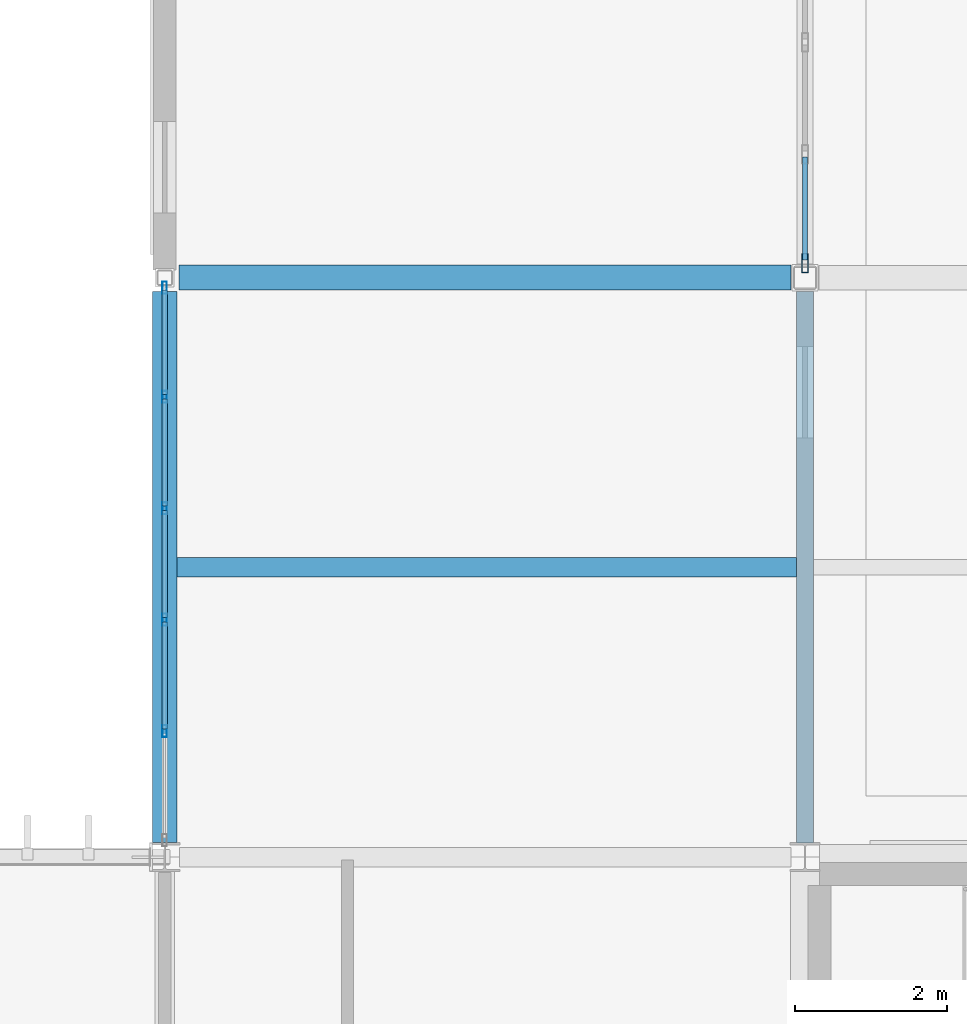
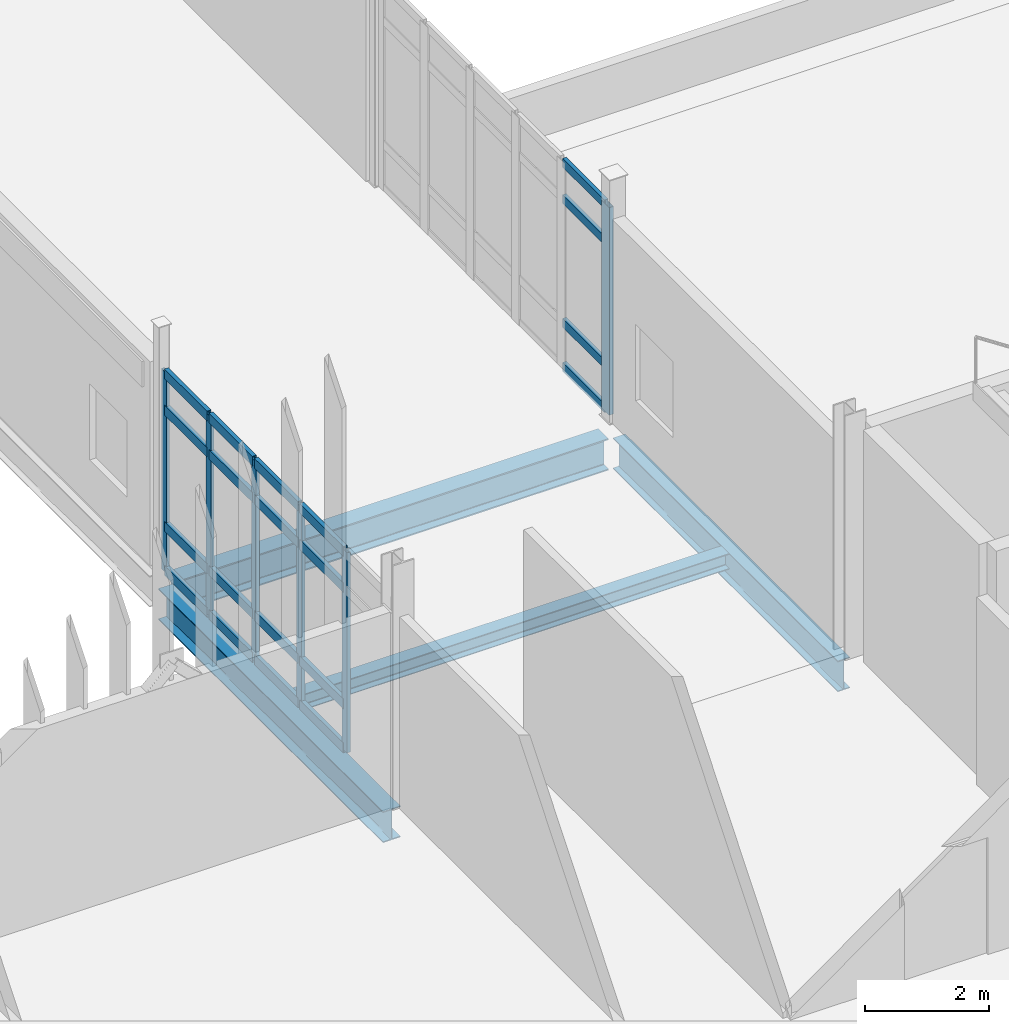
# One storey, part 32 of 153: 26 members, 4 beams, 2 elements without a shape of their own.
"""IFC4 building model written with IfcOpenShell, lengths in metres."""

from ifc_helpers import new_model, si_unit, direction, frame, origin, origin_2d, place, context, subcontext, project, spatial, hollow_rectangle, i_section, extrude, material, layer, layer_set, material_profile, profile_set, type_object, element, aggregate, save


model = new_model("IFC4")

# Units and contexts
model_context = context("Model", 3, precision=1e-05, world=origin(), true_north=direction((0.0, 1.0)))
body_context = subcontext(model_context, "Body", "Model", "MODEL_VIEW")
ifc_project = project(units=[si_unit("LENGTHUNIT", "METRE"), si_unit("AREAUNIT", "SQUARE_METRE"), si_unit("VOLUMEUNIT", "CUBIC_METRE"), si_unit("PLANEANGLEUNIT", "RADIAN"), si_unit("MASSUNIT", "GRAM", prefix="KILO")], contexts=[model_context])

# Site, building, storey
site_placement = place(None, origin())
site = spatial("IfcSite", under=ifc_project, at=site_placement, CompositionType="ELEMENT")
building_placement = place(site_placement, origin())
building = spatial("IfcBuilding", under=site, at=building_placement, Name="Calvrana Isthmian Art Gallery", CompositionType="ELEMENT")
storey_placement = place(building_placement, frame((0.0, 0.0, 10.199951171875)))
storey = spatial("IfcBuildingStorey", under=building, at=storey_placement, Name="L02", CompositionType="ELEMENT", Elevation=10.199951171875)

# Beams
ifc_material_1 = material(Name="Steel ASTM A992 Gr 50", Category="steel")
ifc_material_profile_1 = material_profile(ifc_material_1, i_section(OverallWidth=0.324951171875, OverallDepth=0.612060546875, WebThickness=0.0126953125, FlangeThickness=0.01904296875, FilletRadius=0.02197265625, at=origin_2d()), Name="W24X104")
ifc_profile_set_1 = profile_set([ifc_material_profile_1], Name="Steel ASTM A992 Gr 50")
beam_type_1 = type_object("IfcBeamType", Name="BM-G-W24X104", PredefinedType="BEAM", material=ifc_profile_set_1)
beam_1_placement = place(storey_placement, frame((55.199951171875, 46.988037109375, -0.571044921875), z_axis=(0.0, 1.0, 0.0), x_axis=(-1.0, 0.0, 0.0)))
element("IfcBeam", 1, at=beam_1_placement, inside=storey, type_object=beam_type_1, Name="Girder Y L02 08/G-H", PredefinedType="BEAM", context=body_context, shape_type="SweptSolid", body=[
    extrude(i_section(OverallWidth=0.324951171875, OverallDepth=0.612060546875, WebThickness=0.0126953125, FlangeThickness=0.01904296875, FilletRadius=0.02197265625, at=origin_2d()), origin(), (0.0, 0.0, 1.0), 7.22802734375),
])
ifc_material_profile_2 = material_profile(ifc_material_1, i_section(OverallWidth=0.327880859375, OverallDepth=0.6220703125, WebThickness=0.015380859375, FlangeThickness=0.0244140625, FilletRadius=0.02197265625, at=origin_2d()), Name="W24X131")
ifc_profile_set_2 = profile_set([ifc_material_profile_2], Name="Steel ASTM A992 Gr 50")
beam_type_2 = type_object("IfcBeamType", Name="BM-G-W24X131", PredefinedType="BEAM", material=ifc_profile_set_2)
beam_2_placement = place(storey_placement, frame((55.386474609375, 54.39990234375, -0.575927734375), z_axis=(1.0, 0.0, 0.0), x_axis=(0.0, 1.0, 0.0)))
element("IfcBeam", 2, at=beam_2_placement, inside=storey, type_object=beam_type_2, Name="Girder X L02 08-09/H", PredefinedType="BEAM", context=body_context, shape_type="SweptSolid", body=[
    extrude(i_section(OverallWidth=0.327880859375, OverallDepth=0.6220703125, WebThickness=0.015380859375, FlangeThickness=0.0244140625, FilletRadius=0.02197265625, at=origin_2d()), origin(), (0.0, 0.0, 1.0), 8.028076171875),
])
ifc_material_profile_3 = material_profile(ifc_material_1, i_section(OverallWidth=0.22802734375, OverallDepth=0.60693359375, WebThickness=0.01123046875, FlangeThickness=0.017333984375, FilletRadius=0.02197265625, at=origin_2d()), Name="W24X76")
ifc_profile_set_3 = profile_set([ifc_material_profile_3], Name="Steel ASTM A992 Gr 50")
beam_type_3 = type_object("IfcBeamType", Name="BM-G-W24X76", PredefinedType="BEAM", material=ifc_profile_set_3)
beam_3_placement = place(storey_placement, frame((63.60009765625, 46.986572265625, -0.568359375), z_axis=(0.0, 1.0, 0.0), x_axis=(-1.0, 0.0, 0.0)))
element("IfcBeam", 3, at=beam_3_placement, inside=storey, type_object=beam_type_3, Name="Girder Y L02 09/G-H", PredefinedType="BEAM", context=body_context, shape_type="SweptSolid", body=[
    extrude(i_section(OverallWidth=0.22802734375, OverallDepth=0.60693359375, WebThickness=0.01123046875, FlangeThickness=0.017333984375, FilletRadius=0.02197265625, at=origin_2d()), origin(), (0.0, 0.0, 1.0), 7.23193359375),
])
ifc_material_profile_4 = material_profile(ifc_material_1, i_section(OverallWidth=0.25390625, OverallDepth=0.306884765625, WebThickness=0.0087890625, FlangeThickness=0.0146484375, FilletRadius=0.01611328125, at=origin_2d()), Name="W12X53")
ifc_profile_set_4 = profile_set([ifc_material_profile_4], Name="Steel ASTM A992 Gr 50")
beam_type_4 = type_object("IfcBeamType", Name="BM-J-W12X53", PredefinedType="JOIST", material=ifc_profile_set_4)
beam_4_placement = place(storey_placement, frame((55.362548828125, 50.60009765625, -0.41845703125), z_axis=(1.0, 0.0, 0.0), x_axis=(0.0, 1.0, 0.0)))
element("IfcBeam", 4, at=beam_4_placement, inside=storey, type_object=beam_type_4, Name="Composite joist L02 bay 07-06", PredefinedType="JOIST", context=body_context, shape_type="SweptSolid", body=[
    extrude(i_section(OverallWidth=0.25390625, OverallDepth=0.306884765625, WebThickness=0.0087890625, FlangeThickness=0.0146484375, FilletRadius=0.01611328125, at=origin_2d()), origin(), (0.0, 0.0, 1.0), 8.12353515625),
])

# Curtain wall, members
ifc_material_2 = material(Name="Anodized bronze aluminium 6063-T6", Category="aluminium")
ifc_layer_1 = layer(ifc_material_2, 0.179931640625, Name="Anodized bronze aluminium 6063-T6")
ifc_layer_set_1 = layer_set([ifc_layer_1], Name="Anodized bronze aluminium 6063-T6")
curtain_wall_type_1 = type_object("IfcCurtainWallType", Name="CW-UNIT-073X39", PredefinedType="USERDEFINED", material=ifc_layer_set_1)
curtain_wall_1_placement = place(storey_placement, origin())
curtain_wall_1 = element("IfcCurtainWall", 5, at=curtain_wall_1_placement, inside=storey, type_object=curtain_wall_type_1, Name="Curtain wall CW-169", ObjectType="UNITISED CURTAIN WALL", PredefinedType="USERDEFINED")
ifc_material_profile_5 = material_profile(ifc_material_2, hollow_rectangle(XDim=0.06005859375, YDim=0.159912109375, WallThickness=0.00390625, at=origin_2d()), Name="CWM60X160")
ifc_profile_set_5 = profile_set([ifc_material_profile_5], Name="Anodized bronze aluminium 6063-T6")
member_type_1 = type_object("IfcMemberType", Name="CWM-CWM60X160", PredefinedType="MULLION", material=ifc_profile_set_5)
member_1_placement = place(storey_placement, frame((55.199951171875, 48.4521484375, 0.0), z_axis=(0.0, 0.0, 1.0), x_axis=(-1.0, 0.0, 0.0)))
member_1 = element("IfcMember", 6, at=member_1_placement, type_object=member_type_1, Name="CW-169 mullion 2", PredefinedType="MULLION", context=body_context, shape_type="SweptSolid", body=[
    extrude(hollow_rectangle(XDim=0.06005859375, YDim=0.159912109375, WallThickness=0.00390625, at=origin_2d()), origin(), (0.0, 0.0, 1.0), 3.93310546875),
])
member_2_placement = place(storey_placement, frame((55.199951171875, 49.91357421875, 0.0), z_axis=(0.0, 0.0, 1.0), x_axis=(-1.0, 0.0, 0.0)))
member_2 = element("IfcMember", 7, at=member_2_placement, type_object=member_type_1, Name="CW-169 mullion 3", PredefinedType="MULLION", context=body_context, shape_type="SweptSolid", body=[
    extrude(hollow_rectangle(XDim=0.06005859375, YDim=0.159912109375, WallThickness=0.00390625, at=origin_2d()), origin(), (0.0, 0.0, 1.0), 3.93310546875),
])
member_3_placement = place(storey_placement, frame((55.199951171875, 51.375244140625, 0.0), z_axis=(0.0, 0.0, 1.0), x_axis=(-1.0, 0.0, 0.0)))
member_3 = element("IfcMember", 8, at=member_3_placement, type_object=member_type_1, Name="CW-169 mullion 4", PredefinedType="MULLION", context=body_context, shape_type="SweptSolid", body=[
    extrude(hollow_rectangle(XDim=0.06005859375, YDim=0.159912109375, WallThickness=0.00390625, at=origin_2d()), origin(), (0.0, 0.0, 1.0), 3.93310546875),
])
member_4_placement = place(storey_placement, frame((55.199951171875, 52.8369140625, 0.0), z_axis=(0.0, 0.0, 1.0), x_axis=(-1.0, 0.0, 0.0)))
member_4 = element("IfcMember", 9, at=member_4_placement, type_object=member_type_1, Name="CW-169 mullion 5", PredefinedType="MULLION", context=body_context, shape_type="SweptSolid", body=[
    extrude(hollow_rectangle(XDim=0.06005859375, YDim=0.159912109375, WallThickness=0.00390625, at=origin_2d()), origin(), (0.0, 0.0, 1.0), 3.93310546875),
])
member_5_placement = place(storey_placement, frame((55.199951171875, 54.268310546875, 0.0), z_axis=(0.0, 0.0, 1.0), x_axis=(-1.0, 0.0, 0.0)))
member_5 = element("IfcMember", 10, at=member_5_placement, type_object=member_type_1, Name="CW-169 mullion 6", PredefinedType="MULLION", context=body_context, shape_type="SweptSolid", body=[
    extrude(hollow_rectangle(XDim=0.06005859375, YDim=0.159912109375, WallThickness=0.00390625, at=origin_2d()), origin(), (0.0, 0.0, 1.0), 3.93310546875),
])

ifc_layer_2 = layer(ifc_material_2, 0.179931640625, Name="Anodized bronze aluminium 6063-T6")
ifc_layer_set_2 = layer_set([ifc_layer_2], Name="Anodized bronze aluminium 6063-T6")
curtain_wall_type_2 = type_object("IfcCurtainWallType", Name="CW-UNIT-073X41", PredefinedType="USERDEFINED", material=ifc_layer_set_2)
curtain_wall_2_placement = place(storey_placement, origin())
curtain_wall_2 = element("IfcCurtainWall", 11, at=curtain_wall_2_placement, inside=storey, type_object=curtain_wall_type_2, Name="Curtain wall CW-173", ObjectType="UNITISED CURTAIN WALL", PredefinedType="USERDEFINED")
ifc_material_profile_6 = material_profile(ifc_material_2, hollow_rectangle(XDim=0.080078125, YDim=0.25, WallThickness=0.005615234375, at=origin_2d()), Name="CWM80X250")
ifc_profile_set_6 = profile_set([ifc_material_profile_6], Name="Anodized bronze aluminium 6063-T6")
member_type_2 = type_object("IfcMemberType", Name="CWM-CWM80X250", PredefinedType="MULLION", material=ifc_profile_set_6)
member_6_placement = place(storey_placement, frame((63.60009765625, 54.59228515625, 0.0), z_axis=(0.0, 0.0, 1.0), x_axis=(1.0, 0.0, 0.0)))
member_6 = element("IfcMember", 12, at=member_6_placement, type_object=member_type_2, Name="CW-173 mullion 6", PredefinedType="MULLION", context=body_context, shape_type="SweptSolid", body=[
    extrude(hollow_rectangle(XDim=0.080078125, YDim=0.25, WallThickness=0.005615234375, at=origin_2d()), origin(), (0.0, 0.0, 1.0), 4.078125),
])
ifc_material_profile_7 = material_profile(ifc_material_2, hollow_rectangle(XDim=0.070068359375, YDim=0.169921875, WallThickness=0.00439453125, at=origin_2d()), Name="CWT70X170")
ifc_profile_set_7 = profile_set([ifc_material_profile_7], Name="Anodized bronze aluminium 6063-T6")
member_type_3 = type_object("IfcMemberType", Name="CWT-CWT70X170", PredefinedType="USERDEFINED", material=ifc_profile_set_7)
member_7_placement = place(storey_placement, frame((63.60009765625, 55.981689453125, 0.03515625), z_axis=(0.0, -1.0, 0.0), x_axis=(1.0, 0.0, 0.0)))
member_7 = element("IfcMember", 13, at=member_7_placement, type_object=member_type_3, Name="CW-173 transom 5.1", ObjectType="TRANSOM", PredefinedType="USERDEFINED", context=body_context, shape_type="SweptSolid", body=[
    extrude(hollow_rectangle(XDim=0.070068359375, YDim=0.169921875, WallThickness=0.00439453125, at=origin_2d()), origin(), (0.0, 0.0, 1.0), 1.349365234375),
])
member_8_placement = place(storey_placement, frame((63.60009765625, 55.981689453125, 0.900146484375), z_axis=(0.0, -1.0, 0.0), x_axis=(1.0, 0.0, 0.0)))
member_8 = element("IfcMember", 14, at=member_8_placement, type_object=member_type_3, Name="CW-173 transom 5.2", ObjectType="TRANSOM", PredefinedType="USERDEFINED", context=body_context, shape_type="SweptSolid", body=[
    extrude(hollow_rectangle(XDim=0.070068359375, YDim=0.169921875, WallThickness=0.00439453125, at=origin_2d()), origin(), (0.0, 0.0, 1.0), 1.349365234375),
])
member_9_placement = place(storey_placement, frame((63.60009765625, 55.981689453125, 3.328125), z_axis=(0.0, -1.0, 0.0), x_axis=(1.0, 0.0, 0.0)))
member_9 = element("IfcMember", 15, at=member_9_placement, type_object=member_type_3, Name="CW-173 transom 5.3", ObjectType="TRANSOM", PredefinedType="USERDEFINED", context=body_context, shape_type="SweptSolid", body=[
    extrude(hollow_rectangle(XDim=0.070068359375, YDim=0.169921875, WallThickness=0.00439453125, at=origin_2d()), origin(), (0.0, 0.0, 1.0), 1.349365234375),
])
member_10_placement = place(storey_placement, frame((63.60009765625, 55.981689453125, 4.04296875), z_axis=(0.0, -1.0, 0.0), x_axis=(1.0, 0.0, 0.0)))
member_10 = element("IfcMember", 16, at=member_10_placement, type_object=member_type_3, Name="CW-173 transom 5.4", ObjectType="TRANSOM", PredefinedType="USERDEFINED", context=body_context, shape_type="SweptSolid", body=[
    extrude(hollow_rectangle(XDim=0.070068359375, YDim=0.169921875, WallThickness=0.00439453125, at=origin_2d()), origin(), (0.0, 0.0, 1.0), 1.349365234375),
])
aggregate(curtain_wall_2, [member_6, member_7, member_8, member_9, member_10])

# Member
ifc_material_profile_8 = material_profile(ifc_material_2, hollow_rectangle(XDim=0.074951171875, YDim=0.18994140625, WallThickness=0.00439453125, at=origin_2d()), Name="CWT75X190")
ifc_profile_set_8 = profile_set([ifc_material_profile_8], Name="Anodized bronze aluminium 6063-T6")
member_type_4 = type_object("IfcMemberType", Name="CWT-CWT75X190", PredefinedType="USERDEFINED", material=ifc_profile_set_8)
member_11_placement = place(storey_placement, frame((55.199951171875, 48.482177734375, 0.03759765625), z_axis=(0.0, 1.0, 0.0), x_axis=(-1.0, 0.0, 0.0)))
member_11 = element("IfcMember", 17, at=member_11_placement, type_object=member_type_4, Name="CW-169 transom 2.1", ObjectType="TRANSOM", PredefinedType="USERDEFINED", context=body_context, shape_type="SweptSolid", body=[
    extrude(hollow_rectangle(XDim=0.074951171875, YDim=0.18994140625, WallThickness=0.00439453125, at=origin_2d()), origin(), (0.0, 0.0, 1.0), 1.4013671875),
])

member_12_placement = place(storey_placement, frame((55.199951171875, 48.482177734375, 0.900146484375), z_axis=(0.0, 1.0, 0.0), x_axis=(-1.0, 0.0, 0.0)))
member_12 = element("IfcMember", 18, at=member_12_placement, type_object=member_type_4, Name="CW-169 transom 2.2", ObjectType="TRANSOM", PredefinedType="USERDEFINED", context=body_context, shape_type="SweptSolid", body=[
    extrude(hollow_rectangle(XDim=0.074951171875, YDim=0.18994140625, WallThickness=0.00439453125, at=origin_2d()), origin(), (0.0, 0.0, 1.0), 1.4013671875),
])

member_13_placement = place(storey_placement, frame((55.199951171875, 48.482177734375, 3.18310546875), z_axis=(0.0, 1.0, 0.0), x_axis=(-1.0, 0.0, 0.0)))
member_13 = element("IfcMember", 19, at=member_13_placement, type_object=member_type_4, Name="CW-169 transom 2.3", ObjectType="TRANSOM", PredefinedType="USERDEFINED", context=body_context, shape_type="SweptSolid", body=[
    extrude(hollow_rectangle(XDim=0.074951171875, YDim=0.18994140625, WallThickness=0.00439453125, at=origin_2d()), origin(), (0.0, 0.0, 1.0), 1.4013671875),
])

member_14_placement = place(storey_placement, frame((55.199951171875, 48.482177734375, 3.8955078125), z_axis=(0.0, 1.0, 0.0), x_axis=(-1.0, 0.0, 0.0)))
member_14 = element("IfcMember", 20, at=member_14_placement, type_object=member_type_4, Name="CW-169 transom 2.4", ObjectType="TRANSOM", PredefinedType="USERDEFINED", context=body_context, shape_type="SweptSolid", body=[
    extrude(hollow_rectangle(XDim=0.074951171875, YDim=0.18994140625, WallThickness=0.00439453125, at=origin_2d()), origin(), (0.0, 0.0, 1.0), 1.4013671875),
])

member_15_placement = place(storey_placement, frame((55.199951171875, 49.943603515625, 0.03759765625), z_axis=(0.0, 1.0, 0.0), x_axis=(-1.0, 0.0, 0.0)))
member_15 = element("IfcMember", 21, at=member_15_placement, type_object=member_type_4, Name="CW-169 transom 3.1", ObjectType="TRANSOM", PredefinedType="USERDEFINED", context=body_context, shape_type="SweptSolid", body=[
    extrude(hollow_rectangle(XDim=0.074951171875, YDim=0.18994140625, WallThickness=0.00439453125, at=origin_2d()), origin(), (0.0, 0.0, 1.0), 1.401611328125),
])

member_16_placement = place(storey_placement, frame((55.199951171875, 49.943603515625, 0.900146484375), z_axis=(0.0, 1.0, 0.0), x_axis=(-1.0, 0.0, 0.0)))
member_16 = element("IfcMember", 22, at=member_16_placement, type_object=member_type_4, Name="CW-169 transom 3.2", ObjectType="TRANSOM", PredefinedType="USERDEFINED", context=body_context, shape_type="SweptSolid", body=[
    extrude(hollow_rectangle(XDim=0.074951171875, YDim=0.18994140625, WallThickness=0.00439453125, at=origin_2d()), origin(), (0.0, 0.0, 1.0), 1.401611328125),
])

member_17_placement = place(storey_placement, frame((55.199951171875, 49.943603515625, 3.18310546875), z_axis=(0.0, 1.0, 0.0), x_axis=(-1.0, 0.0, 0.0)))
member_17 = element("IfcMember", 23, at=member_17_placement, type_object=member_type_4, Name="CW-169 transom 3.3", ObjectType="TRANSOM", PredefinedType="USERDEFINED", context=body_context, shape_type="SweptSolid", body=[
    extrude(hollow_rectangle(XDim=0.074951171875, YDim=0.18994140625, WallThickness=0.00439453125, at=origin_2d()), origin(), (0.0, 0.0, 1.0), 1.401611328125),
])

member_18_placement = place(storey_placement, frame((55.199951171875, 49.943603515625, 3.8955078125), z_axis=(0.0, 1.0, 0.0), x_axis=(-1.0, 0.0, 0.0)))
member_18 = element("IfcMember", 24, at=member_18_placement, type_object=member_type_4, Name="CW-169 transom 3.4", ObjectType="TRANSOM", PredefinedType="USERDEFINED", context=body_context, shape_type="SweptSolid", body=[
    extrude(hollow_rectangle(XDim=0.074951171875, YDim=0.18994140625, WallThickness=0.00439453125, at=origin_2d()), origin(), (0.0, 0.0, 1.0), 1.401611328125),
])

member_19_placement = place(storey_placement, frame((55.199951171875, 51.4052734375, 0.03759765625), z_axis=(0.0, 1.0, 0.0), x_axis=(-1.0, 0.0, 0.0)))
member_19 = element("IfcMember", 25, at=member_19_placement, type_object=member_type_4, Name="CW-169 transom 4.1", ObjectType="TRANSOM", PredefinedType="USERDEFINED", context=body_context, shape_type="SweptSolid", body=[
    extrude(hollow_rectangle(XDim=0.074951171875, YDim=0.18994140625, WallThickness=0.00439453125, at=origin_2d()), origin(), (0.0, 0.0, 1.0), 1.401611328125),
])

member_20_placement = place(storey_placement, frame((55.199951171875, 51.4052734375, 0.900146484375), z_axis=(0.0, 1.0, 0.0), x_axis=(-1.0, 0.0, 0.0)))
member_20 = element("IfcMember", 26, at=member_20_placement, type_object=member_type_4, Name="CW-169 transom 4.2", ObjectType="TRANSOM", PredefinedType="USERDEFINED", context=body_context, shape_type="SweptSolid", body=[
    extrude(hollow_rectangle(XDim=0.074951171875, YDim=0.18994140625, WallThickness=0.00439453125, at=origin_2d()), origin(), (0.0, 0.0, 1.0), 1.401611328125),
])

member_21_placement = place(storey_placement, frame((55.199951171875, 51.4052734375, 3.18310546875), z_axis=(0.0, 1.0, 0.0), x_axis=(-1.0, 0.0, 0.0)))
member_21 = element("IfcMember", 27, at=member_21_placement, type_object=member_type_4, Name="CW-169 transom 4.3", ObjectType="TRANSOM", PredefinedType="USERDEFINED", context=body_context, shape_type="SweptSolid", body=[
    extrude(hollow_rectangle(XDim=0.074951171875, YDim=0.18994140625, WallThickness=0.00439453125, at=origin_2d()), origin(), (0.0, 0.0, 1.0), 1.401611328125),
])

member_22_placement = place(storey_placement, frame((55.199951171875, 51.4052734375, 3.8955078125), z_axis=(0.0, 1.0, 0.0), x_axis=(-1.0, 0.0, 0.0)))
member_22 = element("IfcMember", 28, at=member_22_placement, type_object=member_type_4, Name="CW-169 transom 4.4", ObjectType="TRANSOM", PredefinedType="USERDEFINED", context=body_context, shape_type="SweptSolid", body=[
    extrude(hollow_rectangle(XDim=0.074951171875, YDim=0.18994140625, WallThickness=0.00439453125, at=origin_2d()), origin(), (0.0, 0.0, 1.0), 1.401611328125),
])

member_23_placement = place(storey_placement, frame((55.199951171875, 52.86669921875, 0.03759765625), z_axis=(0.0, 1.0, 0.0), x_axis=(-1.0, 0.0, 0.0)))
member_23 = element("IfcMember", 29, at=member_23_placement, type_object=member_type_4, Name="CW-169 transom 5.1", ObjectType="TRANSOM", PredefinedType="USERDEFINED", context=body_context, shape_type="SweptSolid", body=[
    extrude(hollow_rectangle(XDim=0.074951171875, YDim=0.18994140625, WallThickness=0.00439453125, at=origin_2d()), origin(), (0.0, 0.0, 1.0), 1.37158203125),
])

member_24_placement = place(storey_placement, frame((55.199951171875, 52.86669921875, 0.900146484375), z_axis=(0.0, 1.0, 0.0), x_axis=(-1.0, 0.0, 0.0)))
member_24 = element("IfcMember", 30, at=member_24_placement, type_object=member_type_4, Name="CW-169 transom 5.2", ObjectType="TRANSOM", PredefinedType="USERDEFINED", context=body_context, shape_type="SweptSolid", body=[
    extrude(hollow_rectangle(XDim=0.074951171875, YDim=0.18994140625, WallThickness=0.00439453125, at=origin_2d()), origin(), (0.0, 0.0, 1.0), 1.37158203125),
])

member_25_placement = place(storey_placement, frame((55.199951171875, 52.86669921875, 3.18310546875), z_axis=(0.0, 1.0, 0.0), x_axis=(-1.0, 0.0, 0.0)))
member_25 = element("IfcMember", 31, at=member_25_placement, type_object=member_type_4, Name="CW-169 transom 5.3", ObjectType="TRANSOM", PredefinedType="USERDEFINED", context=body_context, shape_type="SweptSolid", body=[
    extrude(hollow_rectangle(XDim=0.074951171875, YDim=0.18994140625, WallThickness=0.00439453125, at=origin_2d()), origin(), (0.0, 0.0, 1.0), 1.37158203125),
])

member_26_placement = place(storey_placement, frame((55.199951171875, 52.86669921875, 3.8955078125), z_axis=(0.0, 1.0, 0.0), x_axis=(-1.0, 0.0, 0.0)))
member_26 = element("IfcMember", 32, at=member_26_placement, type_object=member_type_4, Name="CW-169 transom 5.4", ObjectType="TRANSOM", PredefinedType="USERDEFINED", context=body_context, shape_type="SweptSolid", body=[
    extrude(hollow_rectangle(XDim=0.074951171875, YDim=0.18994140625, WallThickness=0.00439453125, at=origin_2d()), origin(), (0.0, 0.0, 1.0), 1.37158203125),
])

aggregate(curtain_wall_1, [member_1, member_2, member_3, member_4, member_5, member_11, member_12, member_13, member_14, member_15, member_16, member_17, member_18, member_19, member_20, member_21, member_22, member_23, member_24, member_25, member_26])

save(model, "model.ifc")
